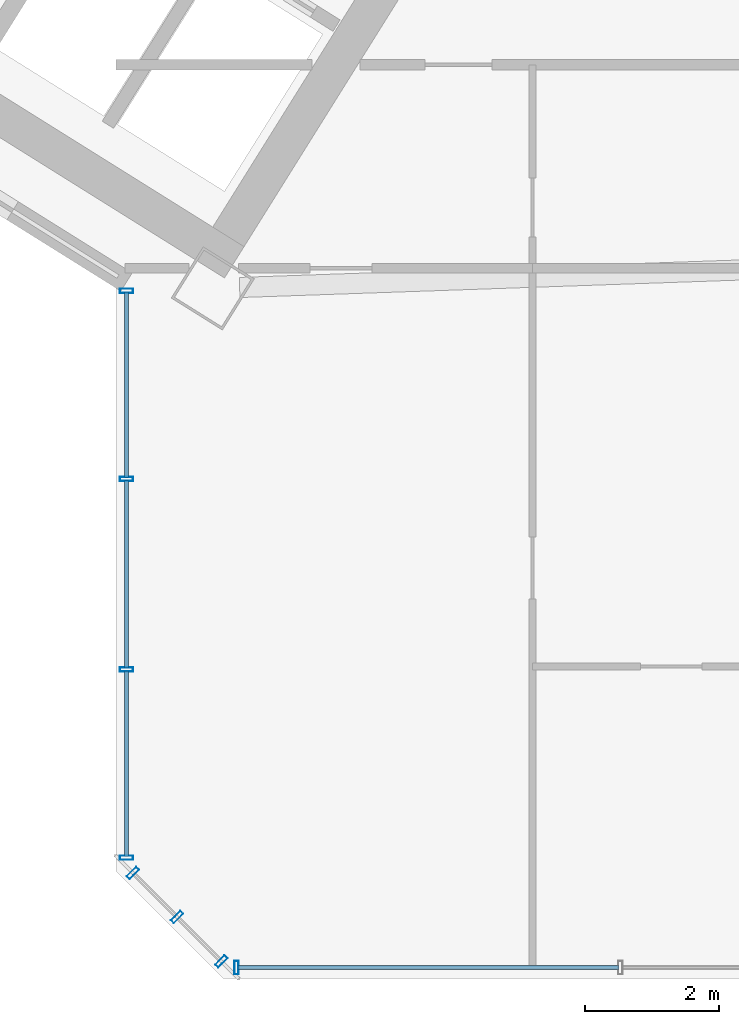
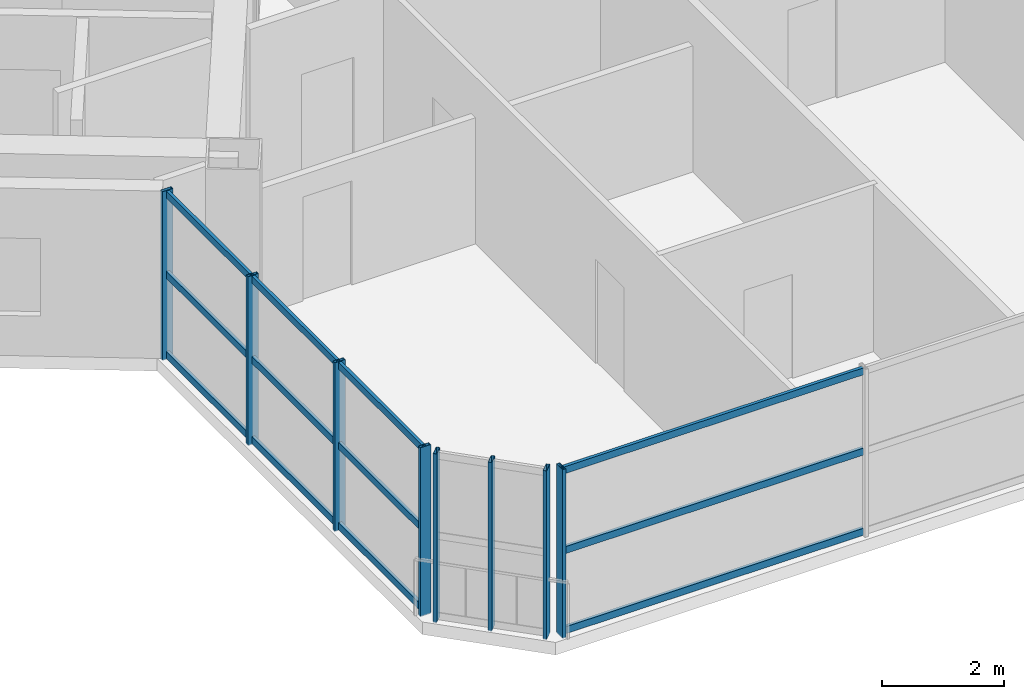
# One storey, part 4 of 21: 20 members, 3 elements without a shape of their own.
"""IFC4 building model written with IfcOpenShell, lengths in metres."""

from ifc_helpers import new_model, si_unit, direction, frame, origin, origin_2d, place, context, subcontext, project, spatial, hollow_rectangle, extrude, source, transform, mapped, material, material_profile, profile_set, type_object, element, aggregate, save


model = new_model("IFC4")

# Units and contexts
model_context = context("Model", 3, precision=1e-05, world=origin(), true_north=direction((0.0, 1.0)))
body_context = subcontext(model_context, "Body", "Model", "MODEL_VIEW")
ifc_project = project(units=[si_unit("LENGTHUNIT", "METRE"), si_unit("AREAUNIT", "SQUARE_METRE"), si_unit("VOLUMEUNIT", "CUBIC_METRE"), si_unit("PLANEANGLEUNIT", "RADIAN"), si_unit("MASSUNIT", "GRAM", prefix="KILO")], contexts=[model_context])

# Site, building, storey
site_placement = place(None, origin())
site = spatial("IfcSite", under=ifc_project, at=site_placement, CompositionType="ELEMENT")
building_placement = place(site_placement, origin())
building = spatial("IfcBuilding", under=site, at=building_placement, Name="Tlacorven Tower", CompositionType="ELEMENT")
storey_placement = place(building_placement, frame((0.0, 0.0, 112.5)))
storey = spatial("IfcBuildingStorey", under=building, at=storey_placement, Name="L28", CompositionType="ELEMENT", Elevation=112.5)

# Curtain wall, members
ifc_material_1 = material(Name="Dark solar low-E double glazing in aluminium frame", Category="aluminium")
curtain_wall_type = type_object("IfcCurtainWallType", Name="CW-TWR-MID", PredefinedType="USERDEFINED", material=ifc_material_1)
curtain_wall_1_placement = place(storey_placement, origin())
curtain_wall_1 = element("IfcCurtainWall", 1, at=curtain_wall_1_placement, inside=storey, type_object=curtain_wall_type, Name="L28 CW-TWR-MID Curtain Wall 140", ObjectType="UNITISED CURTAIN WALL", PredefinedType="USERDEFINED")
ifc_material_2 = material(Name="Aluminium 6063-T6 anodised", Category="aluminium")
ifc_material_profile_1 = material_profile(ifc_material_2, hollow_rectangle(XDim=0.06005859375, YDim=0.139892578125, WallThickness=0.00390625, at=origin_2d()), Name="ALU TRANSOM 60X140")
ifc_profile_set_1 = profile_set([ifc_material_profile_1], Name="Aluminium 6063-T6 anodised")
member_type_1 = type_object("IfcMemberType", Name="CWT-02", PredefinedType="USERDEFINED", material=ifc_profile_set_1)
shared_shape_1 = source(origin(), body_context, "Body", "SweptSolid", [
    extrude(hollow_rectangle(XDim=0.06005859375, YDim=0.139892578125, WallThickness=0.00390625, at=origin_2d()), origin(), (0.0, 0.0, 1.0), 5.682373046875),
])
member_1_placement = place(storey_placement, frame((39.1015625, 1.9599609375, 0.070068359375), z_axis=(-1.0, 0.0, 0.0), x_axis=(0.0, -1.0, 0.0)))
member_1 = element("IfcMember", 2, at=member_1_placement, type_object=member_type_1, Name="CW-L28-140 Transom 7", ObjectType="TRANSOM", PredefinedType="USERDEFINED", context=body_context, shape_type="MappedRepresentation", body=[
    mapped(shared_shape_1, transform((0.0, 0.0, 0.0), scale=1.0)),
])
member_2_placement = place(storey_placement, frame((39.1015625, 1.9599609375, 1.675048828125), z_axis=(-1.0, 0.0, 0.0), x_axis=(0.0, -1.0, 0.0)))
member_2 = element("IfcMember", 3, at=member_2_placement, type_object=member_type_1, Name="CW-L28-140 Transom 8", ObjectType="TRANSOM", PredefinedType="USERDEFINED", context=body_context, shape_type="MappedRepresentation", body=[
    mapped(shared_shape_1, transform((0.0, 0.0, 0.0), scale=1.0)),
])
member_3_placement = place(storey_placement, frame((39.1015625, 1.9599609375, 3.280029296875), z_axis=(-1.0, 0.0, 0.0), x_axis=(0.0, -1.0, 0.0)))
member_3 = element("IfcMember", 4, at=member_3_placement, type_object=member_type_1, Name="CW-L28-140 Transom 9", ObjectType="TRANSOM", PredefinedType="USERDEFINED", context=body_context, shape_type="MappedRepresentation", body=[
    mapped(shared_shape_1, transform((0.0, 0.0, 0.0), scale=1.0)),
])

curtain_wall_2_placement = place(storey_placement, origin())
curtain_wall_2 = element("IfcCurtainWall", 5, at=curtain_wall_2_placement, inside=storey, type_object=curtain_wall_type, Name="L28 CW-TWR-MID Curtain Wall 142", ObjectType="UNITISED CURTAIN WALL", PredefinedType="USERDEFINED")
shared_shape_2 = source(origin(), body_context, "Body", "SweptSolid", [
    extrude(hollow_rectangle(XDim=0.06005859375, YDim=0.139892578125, WallThickness=0.00390625, at=origin_2d()), origin(), (0.0, 0.0, 1.0), 2.765380859375),
])
member_4_placement = place(storey_placement, frame((31.760009765625, 3.619384765625, 0.070068359375), z_axis=(0.0, 1.0, 0.0), x_axis=(-1.0, 0.0, 0.0)))
member_4 = element("IfcMember", 6, at=member_4_placement, type_object=member_type_1, Name="CW-L28-142 Transom 1", ObjectType="TRANSOM", PredefinedType="USERDEFINED", context=body_context, shape_type="MappedRepresentation", body=[
    mapped(shared_shape_2, transform((0.0, 0.0, 0.0), scale=1.0)),
])
member_5_placement = place(storey_placement, frame((31.760009765625, 3.619384765625, 1.675048828125), z_axis=(0.0, 1.0, 0.0), x_axis=(-1.0, 0.0, 0.0)))
member_5 = element("IfcMember", 7, at=member_5_placement, type_object=member_type_1, Name="CW-L28-142 Transom 2", ObjectType="TRANSOM", PredefinedType="USERDEFINED", context=body_context, shape_type="MappedRepresentation", body=[
    mapped(shared_shape_2, transform((0.0, 0.0, 0.0), scale=1.0)),
])
member_6_placement = place(storey_placement, frame((31.760009765625, 3.619384765625, 3.280029296875), z_axis=(0.0, 1.0, 0.0), x_axis=(-1.0, 0.0, 0.0)))
member_6 = element("IfcMember", 8, at=member_6_placement, type_object=member_type_1, Name="CW-L28-142 Transom 3", ObjectType="TRANSOM", PredefinedType="USERDEFINED", context=body_context, shape_type="MappedRepresentation", body=[
    mapped(shared_shape_2, transform((0.0, 0.0, 0.0), scale=1.0)),
])
member_7_placement = place(storey_placement, frame((31.760009765625, 9.2646484375, 0.070068359375), z_axis=(0.0, 1.0, 0.0), x_axis=(-1.0, 0.0, 0.0)))
member_7 = element("IfcMember", 9, at=member_7_placement, type_object=member_type_1, Name="CW-L28-142 Transom 7", ObjectType="TRANSOM", PredefinedType="USERDEFINED", context=body_context, shape_type="MappedRepresentation", body=[
    mapped(shared_shape_2, transform((0.0, 0.0, 0.0), scale=1.0)),
])
member_8_placement = place(storey_placement, frame((31.760009765625, 9.2646484375, 1.675048828125), z_axis=(0.0, 1.0, 0.0), x_axis=(-1.0, 0.0, 0.0)))
member_8 = element("IfcMember", 10, at=member_8_placement, type_object=member_type_1, Name="CW-L28-142 Transom 8", ObjectType="TRANSOM", PredefinedType="USERDEFINED", context=body_context, shape_type="MappedRepresentation", body=[
    mapped(shared_shape_2, transform((0.0, 0.0, 0.0), scale=1.0)),
])
member_9_placement = place(storey_placement, frame((31.760009765625, 9.2646484375, 3.280029296875), z_axis=(0.0, 1.0, 0.0), x_axis=(-1.0, 0.0, 0.0)))
member_9 = element("IfcMember", 11, at=member_9_placement, type_object=member_type_1, Name="CW-L28-142 Transom 9", ObjectType="TRANSOM", PredefinedType="USERDEFINED", context=body_context, shape_type="MappedRepresentation", body=[
    mapped(shared_shape_2, transform((0.0, 0.0, 0.0), scale=1.0)),
])
shared_shape_3 = source(origin(), body_context, "Body", "SweptSolid", [
    extrude(hollow_rectangle(XDim=0.06005859375, YDim=0.139892578125, WallThickness=0.00390625, at=origin_2d()), origin(), (0.0, 0.0, 1.0), 2.7978515625),
])
member_10_placement = place(storey_placement, frame((31.760009765625, 6.42578125, 0.070068359375), z_axis=(0.0, 1.0, 0.0), x_axis=(-1.0, 0.0, 0.0)))
member_10 = element("IfcMember", 12, at=member_10_placement, type_object=member_type_1, Name="CW-L28-142 Transom 4", ObjectType="TRANSOM", PredefinedType="USERDEFINED", context=body_context, shape_type="MappedRepresentation", body=[
    mapped(shared_shape_3, transform((0.0, 0.0, 0.0), scale=1.0)),
])
member_11_placement = place(storey_placement, frame((31.760009765625, 6.42578125, 1.675048828125), z_axis=(0.0, 1.0, 0.0), x_axis=(-1.0, 0.0, 0.0)))
member_11 = element("IfcMember", 13, at=member_11_placement, type_object=member_type_1, Name="CW-L28-142 Transom 5", ObjectType="TRANSOM", PredefinedType="USERDEFINED", context=body_context, shape_type="MappedRepresentation", body=[
    mapped(shared_shape_3, transform((0.0, 0.0, 0.0), scale=1.0)),
])
member_12_placement = place(storey_placement, frame((31.760009765625, 6.42578125, 3.280029296875), z_axis=(0.0, 1.0, 0.0), x_axis=(-1.0, 0.0, 0.0)))
member_12 = element("IfcMember", 14, at=member_12_placement, type_object=member_type_1, Name="CW-L28-142 Transom 6", ObjectType="TRANSOM", PredefinedType="USERDEFINED", context=body_context, shape_type="MappedRepresentation", body=[
    mapped(shared_shape_3, transform((0.0, 0.0, 0.0), scale=1.0)),
])

# Member
ifc_material_profile_2 = material_profile(ifc_material_2, hollow_rectangle(XDim=0.06494140625, YDim=0.199951171875, WallThickness=0.00439453125, at=origin_2d()), Name="ALU MULLION 65X200")
ifc_profile_set_2 = profile_set([ifc_material_profile_2], Name="Aluminium 6063-T6 anodised")
member_type_2 = type_object("IfcMemberType", Name="CWM-02", PredefinedType="MULLION", material=ifc_profile_set_2)
shared_shape_4 = source(origin(), body_context, "Body", "SweptSolid", [
    extrude(hollow_rectangle(XDim=0.06494140625, YDim=0.199951171875, WallThickness=0.00439453125, at=origin_2d()), origin(), (0.0, 0.0, 1.0), 3.380126953125),
])
member_13_placement = place(storey_placement, frame((33.398681640625, 1.9599609375, -0.02001953125), z_axis=(0.0, 0.0, 1.0), x_axis=(-1.0, 0.0, 0.0)))
member_13 = element("IfcMember", 15, at=member_13_placement, type_object=member_type_2, Name="CW-L28-140 Mullion 4", PredefinedType="MULLION", context=body_context, shape_type="MappedRepresentation", body=[
    mapped(shared_shape_4, transform((0.0, 0.0, 0.0), scale=1.0)),
])

aggregate(curtain_wall_1, [member_13, member_1, member_2, member_3])

# Curtain wall, members
curtain_wall_3_placement = place(storey_placement, origin())
curtain_wall_3 = element("IfcCurtainWall", 16, at=curtain_wall_3_placement, inside=storey, type_object=curtain_wall_type, Name="L28 CW-TWR-MID Curtain Wall 141", ObjectType="UNITISED CURTAIN WALL", PredefinedType="USERDEFINED")
member_14_placement = place(storey_placement, frame((33.172607421875, 2.0537109375, -0.02001953125), z_axis=(0.0, 0.0, 1.0), x_axis=(-0.707106781187, 0.707106781187, 0.0)))
member_14 = element("IfcMember", 17, at=member_14_placement, type_object=member_type_2, Name="CW-L28-141 Mullion 1", PredefinedType="MULLION", context=body_context, shape_type="MappedRepresentation", body=[
    mapped(shared_shape_4, transform((0.0, 0.0, 0.0), scale=1.0)),
])
member_15_placement = place(storey_placement, frame((32.51318359375, 2.713134765625, -0.02001953125), z_axis=(0.0, 0.0, 1.0), x_axis=(-0.707106781187, 0.707106781187, 0.0)))
member_15 = element("IfcMember", 18, at=member_15_placement, type_object=member_type_2, Name="CW-L28-141 Mullion 2", PredefinedType="MULLION", context=body_context, shape_type="MappedRepresentation", body=[
    mapped(shared_shape_4, transform((0.0, 0.0, 0.0), scale=1.0)),
])
member_16_placement = place(storey_placement, frame((31.853759765625, 3.37255859375, -0.02001953125), z_axis=(0.0, 0.0, 1.0), x_axis=(-0.707106781187, 0.707106781187, 0.0)))
member_16 = element("IfcMember", 19, at=member_16_placement, type_object=member_type_2, Name="CW-L28-141 Mullion 3", PredefinedType="MULLION", context=body_context, shape_type="MappedRepresentation", body=[
    mapped(shared_shape_4, transform((0.0, 0.0, 0.0), scale=1.0)),
])
aggregate(curtain_wall_3, [member_14, member_15, member_16])

# Member
member_17_placement = place(storey_placement, frame((31.760009765625, 3.598876953125, -0.02001953125), z_axis=(0.0, 0.0, 1.0), x_axis=(0.0, 1.0, 0.0)))
member_17 = element("IfcMember", 20, at=member_17_placement, type_object=member_type_2, Name="CW-L28-142 Mullion 1", PredefinedType="MULLION", context=body_context, shape_type="MappedRepresentation", body=[
    mapped(shared_shape_4, transform((0.0, 0.0, 0.0), scale=1.0)),
])

member_18_placement = place(storey_placement, frame((31.760009765625, 6.4052734375, -0.02001953125), z_axis=(0.0, 0.0, 1.0), x_axis=(0.0, 1.0, 0.0)))
member_18 = element("IfcMember", 21, at=member_18_placement, type_object=member_type_2, Name="CW-L28-142 Mullion 2", PredefinedType="MULLION", context=body_context, shape_type="MappedRepresentation", body=[
    mapped(shared_shape_4, transform((0.0, 0.0, 0.0), scale=1.0)),
])

member_19_placement = place(storey_placement, frame((31.760009765625, 9.244140625, -0.02001953125), z_axis=(0.0, 0.0, 1.0), x_axis=(0.0, 1.0, 0.0)))
member_19 = element("IfcMember", 22, at=member_19_placement, type_object=member_type_2, Name="CW-L28-142 Mullion 3", PredefinedType="MULLION", context=body_context, shape_type="MappedRepresentation", body=[
    mapped(shared_shape_4, transform((0.0, 0.0, 0.0), scale=1.0)),
])

member_20_placement = place(storey_placement, frame((31.760009765625, 12.050537109375, -0.02001953125), z_axis=(0.0, 0.0, 1.0), x_axis=(0.0, 1.0, 0.0)))
member_20 = element("IfcMember", 23, at=member_20_placement, type_object=member_type_2, Name="CW-L28-142 Mullion 4", PredefinedType="MULLION", context=body_context, shape_type="MappedRepresentation", body=[
    mapped(shared_shape_4, transform((0.0, 0.0, 0.0), scale=1.0)),
])

aggregate(curtain_wall_2, [member_17, member_18, member_19, member_20, member_4, member_5, member_6, member_10, member_11, member_12, member_7, member_8, member_9])

save(model, "model.ifc")
